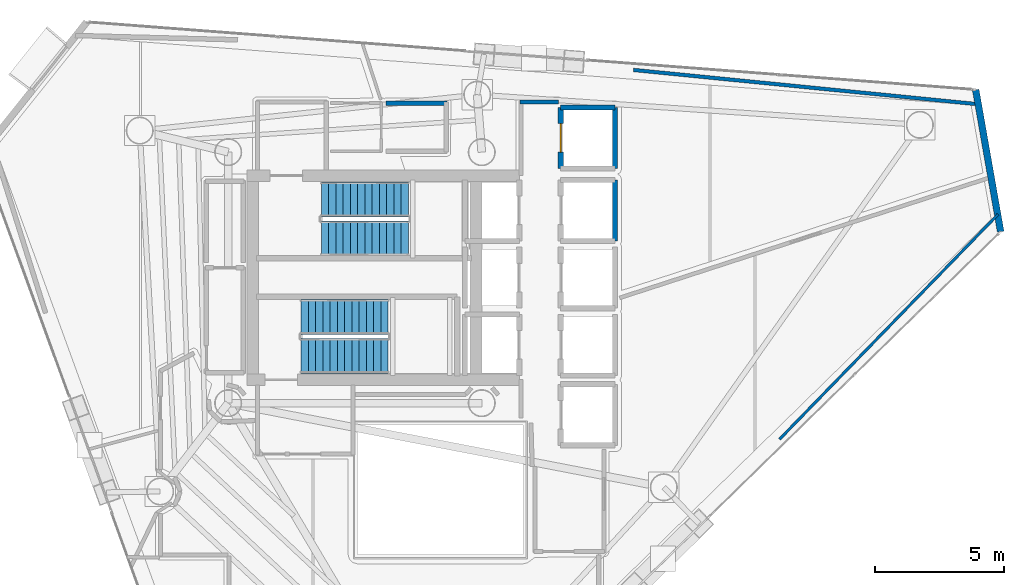
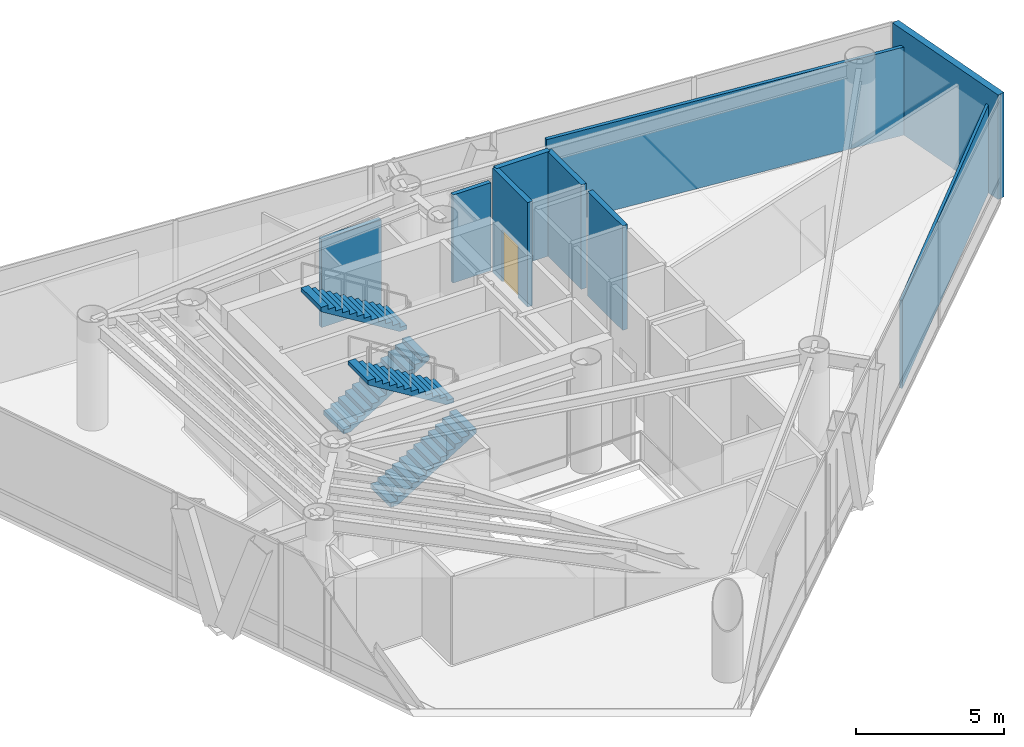
# One storey, part 19 of 21: 9 walls, 4 stair flights, 1 door, 1 opening, 2 elements without a shape of their own.
"""IFC4 building model written with IfcOpenShell, lengths in metres."""

import ifcopenshell
import ifcopenshell.guid

model = None  # the IFC model being written
_history = None  # IfcOwnerHistory: only IFC2X3 demands one
_inside = {}  # id of a spatial element -> (the spatial element, [elements in it])
_under = {}  # id of a project, library or spatial element -> (it, [spatial elements below it])
_declared = {}  # id of a project -> (the project, [libraries it declares])
_typed = {}  # id of a type object -> (the type object, [elements of that type])
_made_of = {}  # id of a material, layer set ... -> (it, [elements and type objects made of it])


def new_model(schema):
    """Start an empty IFC model of exactly this schema.

    Asked for "IFC4X3", IfcOpenShell would pick the latest addendum, in which some entities
    have other attributes; the version numbers below select the first issue.
    IFC2X3 requires an IfcOwnerHistory on every rooted entity: one is made here for all.
    """
    global model, _history
    if schema == "IFC4X3":
        model = ifcopenshell.file(schema_version=(4, 3, 0, 0))
    else:
        model = ifcopenshell.file(schema=schema)
    _inside.clear()
    _under.clear()
    _declared.clear()
    _typed.clear()
    _made_of.clear()
    _history = None
    if model.schema == "IFC2X3":
        org = make("IfcOrganization", Name="unknown")
        user = make(
            "IfcPersonAndOrganization",
            ThePerson=make("IfcPerson", FamilyName="unknown"),
            TheOrganization=org,
        )
        app = make(
            "IfcApplication",
            ApplicationDeveloper=org,
            Version="unknown",
            ApplicationFullName="unknown",
            ApplicationIdentifier="unknown",
        )
        _history = make(
            "IfcOwnerHistory",
            OwningUser=user,
            OwningApplication=app,
            ChangeAction="ADDED",
            CreationDate=0,
        )
    return model


def make(cls, **values):
    """One entity of the class cls with the attributes given. An attribute that is None is left unset."""
    return model.create_entity(
        cls, **{name: value for name, value in values.items() if value is not None}
    )


def rooted(cls, **values):
    """An entity with a GlobalId (a new one), such as an element, a storey or a relation."""
    return make(cls, GlobalId=ifcopenshell.guid.new(), OwnerHistory=_history, **values)


def si_unit(unit_type, name, prefix=None):
    """IfcSIUnit, for example si_unit("LENGTHUNIT", "METRE", prefix="MILLI")."""
    return make("IfcSIUnit", UnitType=unit_type, Prefix=prefix, Name=name)


def assignment(units):
    """IfcUnitAssignment: the units of a project."""
    return None if units is None else make("IfcUnitAssignment", Units=units)


def point(xyz):
    """IfcCartesianPoint."""
    return None if xyz is None else make("IfcCartesianPoint", Coordinates=xyz)


def direction(xyz):
    """IfcDirection."""
    return None if xyz is None else make("IfcDirection", DirectionRatios=xyz)


def frame(location, z_axis=None, x_axis=None):
    """IfcAxis2Placement3D, a coordinate frame: its origin and axes. An axis left out is left unset."""
    return make(
        "IfcAxis2Placement3D",
        Location=point(location),
        Axis=direction(z_axis),
        RefDirection=direction(x_axis),
    )


def frame_2d(location, x_axis=None):
    """IfcAxis2Placement2D, a coordinate frame in the plane: its origin and x axis."""
    return make(
        "IfcAxis2Placement2D", Location=point(location), RefDirection=direction(x_axis)
    )


def origin():
    """The frame at (0, 0, 0) with its axes left unset."""
    return frame((0.0, 0.0, 0.0))


def place(relative_to, where):
    """IfcLocalPlacement: puts the frame where relative to a parent placement (None: the world)."""
    return make(
        "IfcLocalPlacement", PlacementRelTo=relative_to, RelativePlacement=where
    )


def context(
    kind, dimensions, precision=None, world=None, true_north=None, identifier=None
):
    """IfcGeometricRepresentationContext, for example the 3D "Model" context."""
    return make(
        "IfcGeometricRepresentationContext",
        ContextIdentifier=identifier,
        ContextType=kind,
        CoordinateSpaceDimension=dimensions,
        Precision=precision,
        WorldCoordinateSystem=world,
        TrueNorth=true_north,
    )


def subcontext(parent, identifier, kind, view, scale=None):
    """IfcGeometricRepresentationSubContext, for example "Body" below "Model"."""
    return make(
        "IfcGeometricRepresentationSubContext",
        ContextIdentifier=identifier,
        ContextType=kind,
        ParentContext=parent,
        TargetScale=scale,
        TargetView=view,
    )


def project(units=None, contexts=None):
    """IfcProject with its units and contexts."""
    return rooted(
        "IfcProject",
        Name="project",
        RepresentationContexts=contexts,
        UnitsInContext=assignment(units),
    )


def spatial(cls, under=None, at=None, **own):
    """A site, building, storey or space (cls), placed at a placement, below another one or the project."""
    s = rooted(cls, ObjectPlacement=at, **own)
    if under is not None:
        _under.setdefault(under.id(), (under, []))[1].append(s)
    return s


def polyline(points):
    """IfcPolyline through the points."""
    return make("IfcPolyline", Points=[point(p) for p in points])


def profile(cls, at=None, kind="AREA", **sizes):
    """A parametric profile (cls). Its sizes go by their IFC names, for example OverallWidth=200.0."""
    return make(cls, ProfileType=kind, Position=at, **sizes)


def rectangle(**sizes):
    """IfcRectangleProfileDef."""
    return profile("IfcRectangleProfileDef", **sizes)


def outline(outer, holes=None, kind="AREA"):
    """IfcArbitraryClosedProfileDef: a profile drawn as a closed curve; with holes, ...WithVoids."""
    if holes is None:
        return make("IfcArbitraryClosedProfileDef", ProfileType=kind, OuterCurve=outer)
    return make(
        "IfcArbitraryProfileDefWithVoids",
        ProfileType=kind,
        OuterCurve=outer,
        InnerCurves=holes,
    )


def extrude(swept, where, along, depth):
    """IfcExtrudedAreaSolid: the profile swept, set in the frame where, extruded along a direction by depth."""
    return make(
        "IfcExtrudedAreaSolid",
        SweptArea=swept,
        Position=where,
        ExtrudedDirection=direction(along),
        Depth=depth,
    )


def shape(context_of_items, identifier, shape_type, items):
    """IfcShapeRepresentation: the items that make up one representation, for example the "Body"."""
    return make(
        "IfcShapeRepresentation",
        ContextOfItems=context_of_items,
        RepresentationIdentifier=identifier,
        RepresentationType=shape_type,
        Items=items,
    )


def material(Name=None, Category=None):
    """IfcMaterial."""
    return make("IfcMaterial", Name=Name, Category=Category)


def layer(
    of_material, thickness, ventilated=None, Name=None, Category=None, Priority=None
):
    """IfcMaterialLayer: one layer of a wall or slab, of a material (None: an air gap)."""
    return make(
        "IfcMaterialLayer",
        Material=of_material,
        LayerThickness=thickness,
        IsVentilated=ventilated,
        Name=Name,
        Category=Category,
        Priority=Priority,
    )


def layer_set(layers, Name=None):
    """IfcMaterialLayerSet."""
    return make("IfcMaterialLayerSet", MaterialLayers=layers, LayerSetName=Name)


def made_of(thing, what):
    """Note that an element or type object is made of a material, layer set ...; save() writes the relation."""
    if what is not None:
        _made_of.setdefault(what.id(), (what, []))[1].append(thing)
    return thing


def type_object(cls, material=None, **own):
    """A type object (cls), such as IfcWallType, which elements share."""
    return made_of(rooted(cls, **own), material)


def element(
    cls,
    number,
    at=None,
    inside=None,
    cuts=None,
    type_object=None,
    material=None,
    context=None,
    identifier="Body",
    shape_type=None,
    held_by="IfcProductDefinitionShape",
    body=None,
    shapes=None,
    **own,
):
    """One element of the class cls, such as IfcWall. Its Tag is "e" and its number.

    at: its placement. inside: the storey or other place that contains it. cuts: it is an
    opening in that element (IfcRelVoidsElement). A single representation is given by context,
    identifier, shape_type and body (its items); several are given by shapes. held_by: the class
    of the entity that holds the representations. save() writes the other relations.
    """
    e = rooted(cls, Tag="e%d" % number, ObjectPlacement=at, **own)
    if body is not None:
        shapes = [shape(context, identifier, shape_type, body)]
    if shapes is not None:
        e.Representation = make(held_by, Representations=shapes)
    if inside is not None:
        _inside.setdefault(inside.id(), (inside, []))[1].append(e)
    if cuts is not None:
        rooted(
            "IfcRelVoidsElement", RelatingBuildingElement=cuts, RelatedOpeningElement=e
        )
    if type_object is not None:
        _typed.setdefault(type_object.id(), (type_object, []))[1].append(e)
    return made_of(e, material)


def fill(opening, filler):
    """IfcRelFillsElement: the door or window that sits in an opening."""
    return rooted(
        "IfcRelFillsElement",
        RelatingOpeningElement=opening,
        RelatedBuildingElement=filler,
    )


def aggregate(whole, parts):
    """IfcRelAggregates: a whole, such as a stair, and the parts it consists of."""
    return rooted("IfcRelAggregates", RelatingObject=whole, RelatedObjects=parts)


def save(model, path):
    """Write the relations noted so far, then the file.

    IfcRelAggregates (storeys below a building ...), IfcRelContainedInSpatialStructure (elements
    in a storey), IfcRelDefinesByType, IfcRelAssociatesMaterial and IfcRelDeclares: one each for
    every whole, place, type object, material and project.
    """
    for whole, parts in _under.values():
        aggregate(whole, parts)
    for where, things in _inside.values():
        rooted(
            "IfcRelContainedInSpatialStructure",
            RelatedElements=things,
            RelatingStructure=where,
        )
    for kind, things in _typed.values():
        rooted("IfcRelDefinesByType", RelatedObjects=things, RelatingType=kind)
    for what, things in _made_of.values():
        rooted("IfcRelAssociatesMaterial", RelatedObjects=things, RelatingMaterial=what)
    for by, libraries in _declared.values():
        rooted("IfcRelDeclares", RelatingContext=by, RelatedDefinitions=libraries)
    model.write(path)


model = new_model("IFC4")

# Units and contexts
model_context = context("Model", 3, precision=1e-05, world=origin(), true_north=direction((0.0, 1.0)))
body_context = subcontext(model_context, "Body", "Model", "MODEL_VIEW")
ifc_project = project(units=[si_unit("LENGTHUNIT", "METRE"), si_unit("AREAUNIT", "SQUARE_METRE"), si_unit("VOLUMEUNIT", "CUBIC_METRE"), si_unit("PLANEANGLEUNIT", "RADIAN"), si_unit("MASSUNIT", "GRAM", prefix="KILO")], contexts=[model_context])

# Site, building, storey
site_placement = place(None, origin())
site = spatial("IfcSite", under=ifc_project, at=site_placement, CompositionType="ELEMENT")
building_placement = place(site_placement, origin())
building = spatial("IfcBuilding", under=site, at=building_placement, Name="Qianvela Tower", CompositionType="ELEMENT")
storey_placement = place(building_placement, frame((0.0, 0.0, 234.5)))
storey = spatial("IfcBuildingStorey", under=building, at=storey_placement, Name="L60", CompositionType="ELEMENT", Elevation=234.5)

# Walls
ifc_material_1 = material(Name="Terracotta Cladding on Concrete C40", Category="masonry")
ifc_layer_1 = layer(ifc_material_1, 0.260009765625)
ifc_layer_set_1 = layer_set([ifc_layer_1], Name="Terracotta Cladding on Concrete C40")
wall_type_1 = type_object("IfcWallType", Name="TERRACOTTA-WALL-260", PredefinedType="SOLIDWALL", material=ifc_layer_set_1)
wall_1_placement = place(storey_placement, frame((58.455078125, 30.475341796875, 0.0), z_axis=(0.0, 0.0, 1.0), x_axis=(-0.173235165229, 0.984880488957, 0.0)))
element("IfcWall", 1, at=wall_1_placement, inside=storey, type_object=wall_type_1, Name="L60 Terracotta Chamfer Facet Wall 1", PredefinedType="SOLIDWALL", context=body_context, shape_type="SweptSolid", body=[
    extrude(rectangle(XDim=5.569580078125, YDim=0.260009765625, at=frame_2d((2.78466796875, 0.0))), origin(), (0.0, 0.0, 1.0), 4.320068359375),
])
ifc_material_2 = material(Name="Fire-Rated Gypsum and Concrete Block", Category="concrete")
ifc_layer_2 = layer(ifc_material_2, 0.159912109375)
ifc_layer_set_2 = layer_set([ifc_layer_2], Name="Fire-Rated Gypsum and Concrete Block")
wall_type_2 = type_object("IfcWallType", Name="WT-CORR-160", PredefinedType="PARTITIONING", material=ifc_layer_set_2)
wall_2_placement = place(storey_placement, frame((39.8798828125, 35.489013671875, 0.0), z_axis=(0.0, 0.0, 1.0), x_axis=(1.0, 0.0, 0.0)))
element("IfcWall", 2, at=wall_2_placement, inside=storey, type_object=wall_type_2, Name="L60 Partition 13", PredefinedType="PARTITIONING", context=body_context, shape_type="SweptSolid", body=[
    extrude(rectangle(XDim=1.480224609375, YDim=0.159912109375, at=frame_2d((0.740234375, 0.0))), origin(), (0.0, 0.0, 1.0), 3.639892578125),
])
ifc_material_3 = material(Name="Lightweight Gypsum Room Partition")
ifc_layer_3 = layer(ifc_material_3, 0.10498046875)
ifc_layer_set_3 = layer_set([ifc_layer_3], Name="Lightweight Gypsum Room Partition")
wall_type_3 = type_object("IfcWallType", Name="WT-PART-105", PredefinedType="PARTITIONING", material=ifc_layer_set_3)
wall_3_placement = place(storey_placement, frame((58.353759765625, 31.14697265625, 0.0), z_axis=(0.0, 0.0, 1.0), x_axis=(-0.696869785683, -0.717197672753, 0.0)))
element("IfcWall", 3, at=wall_3_placement, inside=storey, type_object=wall_type_3, Name="L60 Partition 91 seg 1", PredefinedType="PARTITIONING", context=body_context, shape_type="SweptSolid", body=[
    extrude(rectangle(XDim=12.1181640625, YDim=0.10498046875, at=frame_2d((6.05908203125, 0.0))), origin(), (0.0, 0.0, 1.0), 3.639892578125),
])
ifc_material_4 = material(Name="Moisture-Resistant Acoustic Plumbing Wall")
ifc_layer_4 = layer(ifc_material_4, 0.175048828125)
ifc_layer_set_4 = layer_set([ifc_layer_4], Name="Moisture-Resistant Acoustic Plumbing Wall")
wall_type_4 = type_object("IfcWallType", Name="WT-PLUMB-175", PredefinedType="PLUMBINGWALL", material=ifc_layer_set_4)
wall_4_placement = place(storey_placement, frame((34.699951171875, 35.448974609375, 0.0), z_axis=(0.0, 0.0, 1.0), x_axis=(1.0, 0.0, 0.0)))
element("IfcWall", 4, at=wall_4_placement, inside=storey, type_object=wall_type_4, Name="L60 Partition 25", PredefinedType="PLUMBINGWALL", context=body_context, shape_type="SweptSolid", body=[
    extrude(rectangle(XDim=2.35009765625, YDim=0.175048828125, at=frame_2d((1.175048828125, 0.0))), origin(), (0.0, 0.0, 1.0), 3.639892578125),
])
ifc_material_5 = material(Name="Acoustic Double Gypsum Stud Partition")
ifc_layer_5 = layer(ifc_material_5, 0.139892578125)
ifc_layer_set_5 = layer_set([ifc_layer_5], Name="Acoustic Double Gypsum Stud Partition")
wall_type_5 = type_object("IfcWallType", Name="WT-ROOM-140", PredefinedType="PARTITIONING", material=ifc_layer_set_5)
wall_5_placement = place(storey_placement, frame((44.263916015625, 36.726806640625, 0.0), z_axis=(0.0, 0.0, 1.0), x_axis=(0.995085738049, -0.099017038589, 0.0)))
element("IfcWall", 5, at=wall_5_placement, inside=storey, type_object=wall_type_5, Name="L60 Partition 104 seg 2", PredefinedType="PARTITIONING", context=body_context, shape_type="SweptSolid", body=[
    extrude(rectangle(XDim=13.41064453125, YDim=0.139892578125, at=frame_2d((6.705322265625, 0.0))), origin(), (0.0, 0.0, 1.0), 3.639892578125),
])
ifc_material_6 = material(Name="Concrete C50", Category="concrete")
ifc_layer_6 = layer(ifc_material_6, 0.199951171875)
ifc_layer_set_6 = layer_set([ifc_layer_6], Name="Concrete C50")
wall_type_6 = type_object("IfcWallType", Name="WT-SHAFT-200", PredefinedType="SOLIDWALL", material=ifc_layer_set_6)
wall_6_placement = place(storey_placement, frame((43.550048828125, 30.1201171875, 0.0), z_axis=(0.0, 0.0, 1.0), x_axis=(0.0, 1.0, 0.0)))
element("IfcWall", 6, at=wall_6_placement, inside=storey, type_object=wall_type_6, Name="L60 Lift PL-M1 E Shaft Wall", PredefinedType="SOLIDWALL", context=body_context, shape_type="SweptSolid", body=[
    extrude(rectangle(XDim=2.35986328125, YDim=0.199951171875, at=frame_2d((1.179931640625, 0.0))), origin(), (0.0, 0.0, 1.0), 4.320068359375),
])
wall_7_placement = place(storey_placement, frame((43.550048828125, 32.919921875, 0.0), z_axis=(0.0, 0.0, 1.0), x_axis=(0.0, 1.0, 0.0)))
element("IfcWall", 7, at=wall_7_placement, inside=storey, type_object=wall_type_6, Name="L60 Lift PL-H3 E Shaft Wall", PredefinedType="SOLIDWALL", context=body_context, shape_type="SweptSolid", body=[
    extrude(rectangle(XDim=2.360107421875, YDim=0.199951171875, at=frame_2d((1.18017578125, 0.0))), origin(), (0.0, 0.0, 1.0), 4.320068359375),
])

# Wall, opening, door
wall_8_placement = place(storey_placement, frame((41.449951171875, 32.919921875, 0.0), z_axis=(0.0, 0.0, 1.0), x_axis=(0.0, 1.0, 0.0)))
wall_8 = element("IfcWall", 8, at=wall_8_placement, inside=storey, type_object=wall_type_6, Name="L60 Lift PL-H3 W Shaft Wall", PredefinedType="SOLIDWALL", context=body_context, shape_type="SweptSolid", body=[
    extrude(rectangle(XDim=2.360107421875, YDim=0.199951171875, at=frame_2d((1.18017578125, 0.0))), origin(), (0.0, 0.0, 1.0), 4.320068359375),
])
opening_placement = place(wall_8_placement, frame((0.6298828125, 0.0, 0.0)))
opening = element("IfcOpeningElement", 9, at=opening_placement, cuts=wall_8, Name="Opening LD-01", PredefinedType="OPENING", context=body_context, shape_type="SweptSolid", body=[
    extrude(rectangle(XDim=1.10009765625, YDim=2.14990234375, at=frame_2d((0.550048828125, 1.074951171875))), frame((0.0, 0.10986328125, 0.0), z_axis=(0.0, -1.0, 0.0), x_axis=(1.0, 0.0, 0.0)), (0.0, 0.0, 1.0), 0.219970703125),
])
ifc_material_7 = material(Name="Brushed Stainless Steel Lift Landing Door", Category="steel")
door_type = type_object("IfcDoorType", Name="DT-LIFT-SLIDE-1100", OperationType="SLIDING_TO_LEFT", PredefinedType="DOOR", material=ifc_material_7)
door_placement = place(opening_placement, origin())
door = element("IfcDoor", 10, at=door_placement, inside=storey, type_object=door_type, Name="L60 Lift PL-H3 Sliding Landing Door", OperationType="SLIDING_TO_LEFT", OverallHeight=2.14990234375, OverallWidth=1.10009765625, PredefinedType="DOOR", context=body_context, shape_type="SweptSolid", body=[
    extrude(rectangle(XDim=1.10009765625, YDim=2.14990234375, at=frame_2d((0.550048828125, 1.074951171875))), frame((0.0, 0.02490234375, 0.0), z_axis=(0.0, -1.0, 0.0), x_axis=(1.0, 0.0, 0.0)), (0.0, 0.0, 1.0), 0.050048828125),
])
fill(opening, door)

# Wall
wall_9_placement = place(storey_placement, frame((41.449951171875, 35.280029296875, 0.0), z_axis=(0.0, 0.0, 1.0), x_axis=(1.0, 0.0, 0.0)))
element("IfcWall", 11, at=wall_9_placement, inside=storey, type_object=wall_type_6, Name="L60 Lift PL-H3 N Shaft Wall", PredefinedType="SOLIDWALL", context=body_context, shape_type="SweptSolid", body=[
    extrude(rectangle(XDim=2.10009765625, YDim=0.199951171875, at=frame_2d((1.050048828125, 0.0))), origin(), (0.0, 0.0, 1.0), 4.320068359375),
])

# Stair, stair flights
ifc_material_8 = material(Name="Concrete C40", Category="concrete")
stair_type = type_object("IfcStairType", Name="ST-DOGLEG-1350-R173-N26", PredefinedType="HALF_TURN_STAIR", material=ifc_material_8)
stair_1_placement = place(storey_placement, origin())
stair_1 = element("IfcStair", 12, at=stair_1_placement, inside=storey, type_object=stair_type, Name="L60 Smoke-Proof Core Stair ST-1", PredefinedType="HALF_TURN_STAIR")
ifc_material_9 = material(Name="Concrete C40", Category="concrete")
stair_flight_type = type_object("IfcStairFlightType", Name="STF-STRAIGHT-R173-P13", PredefinedType="STRAIGHT", material=ifc_material_9)
stair_flight_1_placement = place(storey_placement, frame((32.199951171875, 30.215087890625, 0.0), z_axis=(0.0, 0.0, 1.0), x_axis=(1.0, 0.0, 0.0)))
stair_flight_1 = element("IfcStairFlight", 13, at=stair_flight_1_placement, type_object=stair_flight_type, Name="ST-1 flight 1", NumberOfRisers=13, NumberOfTreads=12, PredefinedType="STRAIGHT", RiserHeight=0.173076923, TreadLength=0.28, context=body_context, shape_type="SweptSolid", body=[
    extrude(outline(polyline([(0.0, 0.0), (0.0, 0.173095703125), (0.280029296875, 0.173095703125), (0.280029296875, 0.34619140625), (0.56005859375, 0.34619140625), (0.56005859375, 0.519287109375), (0.840087890625, 0.519287109375), (0.840087890625, 0.6923828125), (1.1201171875, 0.6923828125), (1.1201171875, 0.865478515625), (1.39990234375, 0.865478515625), (1.39990234375, 1.03857421875), (1.679931640625, 1.03857421875), (1.679931640625, 1.21142578125), (1.9599609375, 1.21142578125), (1.9599609375, 1.384521484375), (2.239990234375, 1.384521484375), (2.239990234375, 1.5576171875), (2.52001953125, 1.5576171875), (2.52001953125, 1.730712890625), (2.800048828125, 1.730712890625), (2.800048828125, 1.90380859375), (3.080078125, 1.90380859375), (3.080078125, 2.076904296875), (3.360107421875, 2.076904296875), (3.360107421875, 2.25), (3.360107421875, 1.900634765625), (0.28515625, 0.0), (0.0, 0.0)])), frame((0.0, 0.675048828125, 0.0), z_axis=(0.0, -1.0, 0.0), x_axis=(1.0, 0.0, 0.0)), (0.0, 0.0, 1.0), 1.35009765625),
])
stair_flight_2_placement = place(storey_placement, frame((35.56005859375, 31.72509765625, 2.25), z_axis=(0.0, 0.0, 1.0), x_axis=(-1.0, 0.0, 0.0)))
stair_flight_2 = element("IfcStairFlight", 14, at=stair_flight_2_placement, type_object=stair_flight_type, Name="ST-1 flight 2", NumberOfRisers=13, NumberOfTreads=12, PredefinedType="STRAIGHT", RiserHeight=0.173076923, TreadLength=0.28, context=body_context, shape_type="SweptSolid", body=[
    extrude(outline(polyline([(0.0, 0.0), (0.0, 0.173095703125), (0.280029296875, 0.173095703125), (0.280029296875, 0.34619140625), (0.56005859375, 0.34619140625), (0.56005859375, 0.519287109375), (0.840087890625, 0.519287109375), (0.840087890625, 0.6923828125), (1.1201171875, 0.6923828125), (1.1201171875, 0.865478515625), (1.39990234375, 0.865478515625), (1.39990234375, 1.03857421875), (1.679931640625, 1.03857421875), (1.679931640625, 1.21142578125), (1.9599609375, 1.21142578125), (1.9599609375, 1.384521484375), (2.239990234375, 1.384521484375), (2.239990234375, 1.5576171875), (2.52001953125, 1.5576171875), (2.52001953125, 1.730712890625), (2.800048828125, 1.730712890625), (2.800048828125, 1.90380859375), (3.080078125, 1.90380859375), (3.080078125, 2.076904296875), (3.360107421875, 2.076904296875), (3.360107421875, 2.25), (3.360107421875, 1.900634765625), (0.28515625, 0.0), (0.0, 0.0)])), frame((0.0, 0.675048828125, 0.0), z_axis=(0.0, -1.0, 0.0), x_axis=(1.0, 0.0, 0.0)), (0.0, 0.0, 1.0), 1.35009765625),
])
aggregate(stair_1, [stair_flight_1, stair_flight_2])

stair_2_placement = place(storey_placement, origin())
stair_2 = element("IfcStair", 15, at=stair_2_placement, inside=storey, type_object=stair_type, Name="L60 Smoke-Proof Core Stair ST-2", PredefinedType="HALF_TURN_STAIR")
stair_flight_3_placement = place(storey_placement, frame((31.419921875, 25.675048828125, 0.0), z_axis=(0.0, 0.0, 1.0), x_axis=(1.0, 0.0, 0.0)))
stair_flight_3 = element("IfcStairFlight", 16, at=stair_flight_3_placement, type_object=stair_flight_type, Name="ST-2 flight 1", NumberOfRisers=13, NumberOfTreads=12, PredefinedType="STRAIGHT", RiserHeight=0.173076923, TreadLength=0.28, context=body_context, shape_type="SweptSolid", body=[
    extrude(outline(polyline([(0.0, 0.0), (0.0, 0.173095703125), (0.280029296875, 0.173095703125), (0.280029296875, 0.34619140625), (0.56005859375, 0.34619140625), (0.56005859375, 0.519287109375), (0.840087890625, 0.519287109375), (0.840087890625, 0.6923828125), (1.1201171875, 0.6923828125), (1.1201171875, 0.865478515625), (1.39990234375, 0.865478515625), (1.39990234375, 1.03857421875), (1.679931640625, 1.03857421875), (1.679931640625, 1.21142578125), (1.9599609375, 1.21142578125), (1.9599609375, 1.384521484375), (2.239990234375, 1.384521484375), (2.239990234375, 1.5576171875), (2.52001953125, 1.5576171875), (2.52001953125, 1.730712890625), (2.800048828125, 1.730712890625), (2.800048828125, 1.90380859375), (3.080078125, 1.90380859375), (3.080078125, 2.076904296875), (3.360107421875, 2.076904296875), (3.360107421875, 2.25), (3.360107421875, 1.900634765625), (0.28515625, 0.0), (0.0, 0.0)])), frame((0.0, 0.675048828125, 0.0), z_axis=(0.0, -1.0, 0.0), x_axis=(1.0, 0.0, 0.0)), (0.0, 0.0, 1.0), 1.35009765625),
])
stair_flight_4_placement = place(storey_placement, frame((34.780029296875, 27.18505859375, 2.25), z_axis=(0.0, 0.0, 1.0), x_axis=(-1.0, 0.0, 0.0)))
stair_flight_4 = element("IfcStairFlight", 17, at=stair_flight_4_placement, type_object=stair_flight_type, Name="ST-2 flight 2", NumberOfRisers=13, NumberOfTreads=12, PredefinedType="STRAIGHT", RiserHeight=0.173076923, TreadLength=0.28, context=body_context, shape_type="SweptSolid", body=[
    extrude(outline(polyline([(0.0, 0.0), (0.0, 0.173095703125), (0.280029296875, 0.173095703125), (0.280029296875, 0.34619140625), (0.56005859375, 0.34619140625), (0.56005859375, 0.519287109375), (0.840087890625, 0.519287109375), (0.840087890625, 0.6923828125), (1.1201171875, 0.6923828125), (1.1201171875, 0.865478515625), (1.39990234375, 0.865478515625), (1.39990234375, 1.03857421875), (1.679931640625, 1.03857421875), (1.679931640625, 1.21142578125), (1.9599609375, 1.21142578125), (1.9599609375, 1.384521484375), (2.239990234375, 1.384521484375), (2.239990234375, 1.5576171875), (2.52001953125, 1.5576171875), (2.52001953125, 1.730712890625), (2.800048828125, 1.730712890625), (2.800048828125, 1.90380859375), (3.080078125, 1.90380859375), (3.080078125, 2.076904296875), (3.360107421875, 2.076904296875), (3.360107421875, 2.25), (3.360107421875, 1.900634765625), (0.28515625, 0.0), (0.0, 0.0)])), frame((0.0, 0.675048828125, 0.0), z_axis=(0.0, -1.0, 0.0), x_axis=(1.0, 0.0, 0.0)), (0.0, 0.0, 1.0), 1.35009765625),
])
aggregate(stair_2, [stair_flight_3, stair_flight_4])

save(model, "model.ifc")
